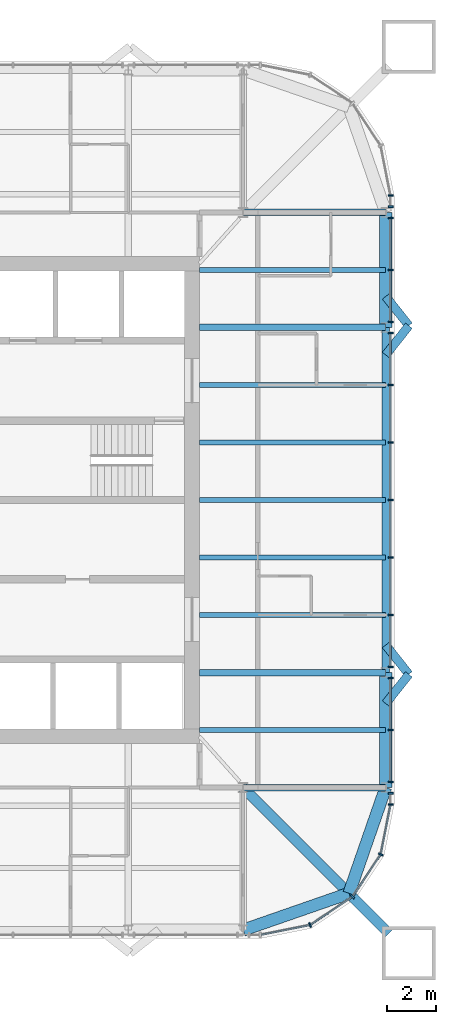
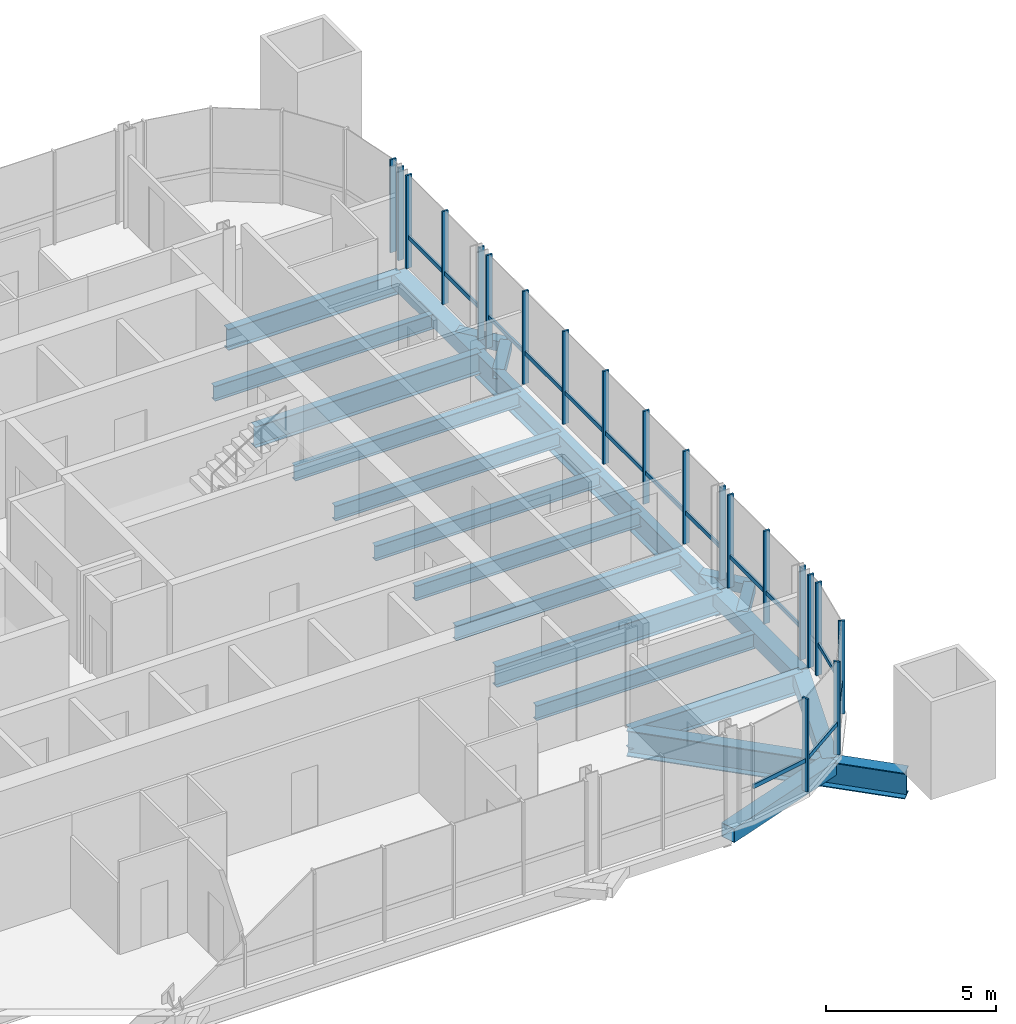
# One storey, part 5 of 17: 34 members, 21 beams, 6 elements without a shape of their own.
"""IFC4 building model written with IfcOpenShell, lengths in metres."""

from ifc_helpers import new_model, si_unit, direction, frame, origin, origin_2d, place, context, subcontext, project, spatial, rectangle, hollow_rectangle, i_section, extrude, material, material_profile, profile_set, type_object, element, aggregate, save


model = new_model("IFC4")

# Units and contexts
model_context = context("Model", 3, precision=1e-05, world=origin(), true_north=direction((0.0, 1.0)))
body_context = subcontext(model_context, "Body", "Model", "MODEL_VIEW")
ifc_project = project(units=[si_unit("LENGTHUNIT", "METRE"), si_unit("AREAUNIT", "SQUARE_METRE"), si_unit("VOLUMEUNIT", "CUBIC_METRE"), si_unit("PLANEANGLEUNIT", "RADIAN"), si_unit("MASSUNIT", "GRAM", prefix="KILO")], contexts=[model_context])

# Site, building, storey
site_placement = place(None, origin())
site = spatial("IfcSite", under=ifc_project, at=site_placement, CompositionType="ELEMENT")
building_placement = place(site_placement, origin())
building = spatial("IfcBuilding", under=site, at=building_placement, Name="Turquesa Mirador Hotel Tower", CompositionType="ELEMENT")
storey_placement = place(building_placement, frame((0.0, 0.0, 258.199951171875)))
storey = spatial("IfcBuildingStorey", under=building, at=storey_placement, Name="L70", CompositionType="ELEMENT", Elevation=258.199951171875)

# Beams
ifc_material_1 = material(Name="Steel ASTM A572 Grade 50", Category="steel")
ifc_material_profile_1 = material_profile(ifc_material_1, hollow_rectangle(XDim=0.5, YDim=0.5, WallThickness=0.01611328125, at=origin_2d()), Name="BOX500X500X16")
ifc_profile_set_1 = profile_set([ifc_material_profile_1], Name="Steel ASTM A572 Grade 50")
beam_type_1 = type_object("IfcBeamType", Name="BEAM BOX500X500X16", PredefinedType="BEAM", material=ifc_profile_set_1)
for number, where, z_axis, x_axis, name in (
    (1, (72.64990234375, 33.199951171875, -0.419921875), (0.0, 1.0, 0.0), (-1.0, 0.0, 0.0), "EB-L70-E-L"),
    (2, (72.64990234375, 52.080078125, -0.419921875), (0.0, 1.0, 0.0), (-1.0, 0.0, 0.0), "EB-L70-E-R"),
):
    element("IfcBeam", number, at=place(storey_placement, frame(where, z_axis=z_axis, x_axis=x_axis)), inside=storey, type_object=beam_type_1, Name=name, PredefinedType="BEAM", context=body_context, shape_type="SweptSolid", body=[
        extrude(hollow_rectangle(XDim=0.5, YDim=0.5, WallThickness=0.01611328125, at=origin_2d()), origin(), (0.0, 0.0, 1.0), 4.719970703125),
    ])
for number, where, z_axis, x_axis, name in (
    (3, (72.64990234375, 33.199951171875, -0.419921875), (-0.328170356092, -0.944618556552, 0.0), (0.944618556552, -0.328170356092, 0.0), "KE-L70-4-0"),
    (4, (71.1416015625, 28.8583984375, -0.419921875), (-0.944618556552, -0.328170356092, 0.0), (0.328170356092, -0.944618556552, 0.0), "KE-L70-4-1"),
):
    element("IfcBeam", number, at=place(storey_placement, frame(where, z_axis=z_axis, x_axis=x_axis)), inside=storey, type_object=beam_type_1, Name=name, PredefinedType="BEAM", context=body_context, shape_type="SweptSolid", body=[
        extrude(hollow_rectangle(XDim=0.5, YDim=0.5, WallThickness=0.01611328125, at=origin_2d()), origin(), (0.0, 0.0, 1.0), 4.59619140625),
    ])
ifc_material_2 = material(Name="Steel ASTM A992 Grade 50", Category="steel")
ifc_material_profile_2 = material_profile(ifc_material_2, i_section(OverallWidth=0.209228515625, OverallDepth=0.533447265625, WebThickness=0.01025390625, FlangeThickness=0.015625, at=origin_2d()), Name="W21X62")
ifc_profile_set_2 = profile_set([ifc_material_profile_2], Name="Steel ASTM A992 Grade 50")
beam_type_2 = type_object("IfcBeamType", Name="BEAM W21X62", PredefinedType="BEAM", material=ifc_profile_set_2)
for number, where, z_axis, x_axis, name in (
    (5, (72.64990234375, 35.56005859375, -0.436767578125), (-1.0, 0.0, 0.0), (0.0, -1.0, 0.0), "BM-L70-E--9.44"),
    (6, (72.64990234375, 40.280029296875, -0.436767578125), (-1.0, 0.0, 0.0), (0.0, -1.0, 0.0), "BM-L70-E--4.72"),
    (7, (72.64990234375, 42.639892578125, -0.436767578125), (-1.0, 0.0, 0.0), (0.0, -1.0, 0.0), "BM-L70-E--2.36"),
    (8, (72.64990234375, 45.0, -0.436767578125), (-1.0, 0.0, 0.0), (0.0, -1.0, 0.0), "BM-L70-E-+0.00"),
    (9, (72.64990234375, 47.360107421875, -0.436767578125), (-1.0, 0.0, 0.0), (0.0, -1.0, 0.0), "BM-L70-E-+2.36"),
    (10, (72.64990234375, 49.719970703125, -0.436767578125), (-1.0, 0.0, 0.0), (0.0, -1.0, 0.0), "BM-L70-E-+4.72"),
    (11, (72.64990234375, 54.43994140625, -0.436767578125), (-1.0, 0.0, 0.0), (0.0, -1.0, 0.0), "BM-L70-E-+9.44"),
):
    element("IfcBeam", number, at=place(storey_placement, frame(where, z_axis=z_axis, x_axis=x_axis)), inside=storey, type_object=beam_type_2, Name=name, PredefinedType="BEAM", context=body_context, shape_type="SweptSolid", body=[
        extrude(i_section(OverallWidth=0.209228515625, OverallDepth=0.533447265625, WebThickness=0.01025390625, FlangeThickness=0.015625, at=origin_2d()), origin(), (0.0, 0.0, 1.0), 7.64990234375),
    ])
ifc_material_3 = material(Name="Steel ASTM A992 Grade 50", Category="steel")
ifc_material_profile_3 = material_profile(ifc_material_3, i_section(OverallWidth=0.2666015625, OverallDepth=0.7568359375, WebThickness=0.013916015625, FlangeThickness=0.019287109375, at=origin_2d()), Name="W30X108")
ifc_profile_set_3 = profile_set([ifc_material_profile_3], Name="Steel ASTM A992 Grade 50")
beam_type_3 = type_object("IfcBeamType", Name="BEAM W30X108", PredefinedType="BEAM", material=ifc_profile_set_3)
for number, where, z_axis, x_axis, name in (
    (12, (72.64990234375, 37.919921875, -0.54833984375), (-1.0, 0.0, 0.0), (0.0, -1.0, 0.0), "GD-L70-E--7.08"),
    (13, (72.64990234375, 52.080078125, -0.54833984375), (-1.0, 0.0, 0.0), (0.0, -1.0, 0.0), "GD-L70-E-+7.08"),
):
    element("IfcBeam", number, at=place(storey_placement, frame(where, z_axis=z_axis, x_axis=x_axis)), inside=storey, type_object=beam_type_3, Name=name, PredefinedType="BEAM", context=body_context, shape_type="SweptSolid", body=[
        extrude(i_section(OverallWidth=0.2666015625, OverallDepth=0.7568359375, WebThickness=0.013916015625, FlangeThickness=0.019287109375, at=origin_2d()), origin(), (0.0, 0.0, 1.0), 7.64990234375),
    ])
for number, where, z_axis, x_axis, name in (
    (14, (72.64990234375, 33.199951171875, -0.54833984375), (-1.0, 0.0, 0.0), (0.0, -1.0, 0.0), "GK-L70-E--11.80"),
    (15, (72.64990234375, 56.800048828125, -0.54833984375), (-1.0, 0.0, 0.0), (0.0, -1.0, 0.0), "GK-L70-E-+11.80"),
):
    element("IfcBeam", number, at=place(storey_placement, frame(where, z_axis=z_axis, x_axis=x_axis)), inside=storey, type_object=beam_type_3, Name=name, PredefinedType="BEAM", context=body_context, shape_type="SweptSolid", body=[
        extrude(i_section(OverallWidth=0.2666015625, OverallDepth=0.7568359375, WebThickness=0.013916015625, FlangeThickness=0.019287109375, at=origin_2d()), origin(), (0.0, 0.0, 1.0), 5.849853515625),
    ])
ifc_material_4 = material(Name="Steel ASTM A992 Grade 50", Category="steel")
ifc_material_profile_4 = material_profile(ifc_material_4, i_section(OverallWidth=0.3046875, OverallDepth=0.911865234375, WebThickness=0.015869140625, FlangeThickness=0.02392578125, at=origin_2d()), Name="W36X150")
ifc_profile_set_4 = profile_set([ifc_material_profile_4], Name="Steel ASTM A992 Grade 50")
beam_type_4 = type_object("IfcBeamType", Name="BEAM W36X150", PredefinedType="BEAM", material=ifc_profile_set_4)
beam_1_placement = place(storey_placement, frame((72.64990234375, 37.919921875, -0.6259765625), z_axis=(0.0, 1.0, 0.0), x_axis=(-1.0, 0.0, 0.0)))
element("IfcBeam", 16, at=beam_1_placement, inside=storey, type_object=beam_type_4, Name="EB-L70-E-C", PredefinedType="BEAM", context=body_context, shape_type="SweptSolid", body=[
    extrude(i_section(OverallWidth=0.3046875, OverallDepth=0.911865234375, WebThickness=0.015869140625, FlangeThickness=0.02392578125, at=origin_2d()), origin(), (0.0, 0.0, 1.0), 14.16015625),
])
ifc_material_5 = material(Name="Steel ASTM A992 Grade 50", Category="steel")
ifc_material_profile_5 = material_profile(ifc_material_5, i_section(OverallWidth=0.419189453125, OverallDepth=0.927001953125, WebThickness=0.019287109375, FlangeThickness=0.031982421875, at=origin_2d()), Name="W36X231")
ifc_profile_set_5 = profile_set([ifc_material_profile_5], Name="Steel ASTM A992 Grade 50")
beam_type_5 = type_object("IfcBeamType", Name="BEAM W36X231", PredefinedType="BEAM", material=ifc_profile_set_5)
beam_2_placement = place(storey_placement, frame((66.800048828125, 33.199951171875, -0.633544921875), z_axis=(0.707106781187, -0.707106781187, 0.0), x_axis=(0.707106781187, 0.707106781187, 0.0)))
element("IfcBeam", 17, at=beam_2_placement, inside=storey, type_object=beam_type_5, Name="KD-L70-4", PredefinedType="BEAM", context=body_context, shape_type="SweptSolid", body=[
    extrude(i_section(OverallWidth=0.419189453125, OverallDepth=0.927001953125, WebThickness=0.019287109375, FlangeThickness=0.031982421875, at=origin_2d()), origin(), (0.0, 0.0, 1.0), 8.46240234375),
])
ifc_material_6 = material(Name="Steel ASTM A500 Grade C", Category="steel")
ifc_material_profile_6 = material_profile(ifc_material_6, hollow_rectangle(XDim=0.355712890625, YDim=0.355712890625, WallThickness=0.0146484375, at=origin_2d()), Name="HSS14X14X5/8")
ifc_profile_set_6 = profile_set([ifc_material_profile_6], Name="Steel ASTM A500 Grade C")
beam_type_6 = type_object("IfcBeamType", Name="BRACE STRUT HSS14X14X5/8", PredefinedType="BEAM", material=ifc_profile_set_6)
for number, where, z_axis, x_axis, name in (
    (18, (73.60009765625, 52.15380859375, -0.34765625), (-0.620796907089, -0.783971428146, 0.0), (0.783971428146, -0.620796907089, 0.0), "Brace strut"),
    (19, (73.60009765625, 52.15380859375, -0.34765625), (-0.620796907089, 0.783971428146, 0.0), (-0.783971428146, -0.620796907089, 0.0), "Brace strut"),
    (20, (73.60009765625, 37.84619140625, -0.34765625), (-0.620796907089, -0.783971428146, 0.0), (0.783971428146, -0.620796907089, 0.0), "Brace strut"),
    (21, (73.60009765625, 37.84619140625, -0.34765625), (-0.620796907089, 0.783971428146, 0.0), (-0.783971428146, -0.620796907089, 0.0), "Brace strut"),
):
    element("IfcBeam", number, at=place(storey_placement, frame(where, z_axis=z_axis, x_axis=x_axis)), inside=storey, type_object=beam_type_6, Name=name, PredefinedType="BEAM", context=body_context, shape_type="SweptSolid", body=[
        extrude(hollow_rectangle(XDim=0.355712890625, YDim=0.355712890625, WallThickness=0.0146484375, at=origin_2d()), origin(), (0.0, 0.0, 1.0), 1.530517578125),
    ])

# Curtain wall, members
ifc_material_7 = material(Name="Aluminium extrusion", Category="aluminium")
curtain_wall_type = type_object("IfcCurtainWallType", Name="CW-4 SUITE FRITTED CURTAIN WALL", PredefinedType="USERDEFINED", material=ifc_material_7)
curtain_wall_1_placement = place(storey_placement, origin())
curtain_wall_1 = element("IfcCurtainWall", 22, at=curtain_wall_1_placement, inside=storey, type_object=curtain_wall_type, Name="CW-4 SUITE FRITTED CURTAIN WALL L70", ObjectType="CURTAIN WALL", PredefinedType="USERDEFINED")
ifc_material_8 = material(Name="Aluminium extrusion", Category="aluminium")
ifc_material_profile_7 = material_profile(ifc_material_8, rectangle(XDim=0.06494140625, YDim=0.199951171875, at=origin_2d()), Name="MULLION 65X200")
ifc_profile_set_7 = profile_set([ifc_material_profile_7], Name="Aluminium extrusion")
member_type_1 = type_object("IfcMemberType", Name="CW MULLION 65X200", PredefinedType="MULLION", material=ifc_profile_set_7)
member_1_placement = place(storey_placement, frame((69.54736328125, 27.55712890625, 0.0), z_axis=(0.0, 0.0, 1.0), x_axis=(0.923879532511, 0.382683432365, 0.0)))
member_1 = element("IfcMember", 23, at=member_1_placement, type_object=member_type_1, Name="Mullion", PredefinedType="MULLION", context=body_context, shape_type="SweptSolid", body=[
    extrude(rectangle(XDim=0.06494140625, YDim=0.199951171875, at=origin_2d()), origin(), (0.0, 0.0, 1.0), 3.330078125),
])
member_2_placement = place(storey_placement, frame((71.282958984375, 28.717041015625, 0.0), z_axis=(0.0, 0.0, 1.0), x_axis=(0.707106781187, 0.707106781187, 0.0)))
member_2 = element("IfcMember", 24, at=member_2_placement, type_object=member_type_1, Name="Mullion", PredefinedType="MULLION", context=body_context, shape_type="SweptSolid", body=[
    extrude(rectangle(XDim=0.06494140625, YDim=0.199951171875, at=origin_2d()), origin(), (0.0, 0.0, 1.0), 3.330078125),
])
member_3_placement = place(storey_placement, frame((72.44287109375, 30.45263671875, 0.0), z_axis=(0.0, 0.0, 1.0), x_axis=(0.382683432365, 0.923879532511, 0.0)))
member_3 = element("IfcMember", 25, at=member_3_placement, type_object=member_type_1, Name="Mullion", PredefinedType="MULLION", context=body_context, shape_type="SweptSolid", body=[
    extrude(rectangle(XDim=0.06494140625, YDim=0.199951171875, at=origin_2d()), origin(), (0.0, 0.0, 1.0), 3.330078125),
])

curtain_wall_2_placement = place(storey_placement, origin())
curtain_wall_2 = element("IfcCurtainWall", 26, at=curtain_wall_2_placement, inside=storey, type_object=curtain_wall_type, Name="CW-4 SUITE FRITTED CURTAIN WALL L70", ObjectType="CURTAIN WALL", PredefinedType="USERDEFINED")
member_4_placement = place(storey_placement, frame((72.85009765625, 32.5, 0.0), z_axis=(0.0, 0.0, 1.0), x_axis=(0.0, 1.0, 0.0)))
member_4 = element("IfcMember", 27, at=member_4_placement, type_object=member_type_1, Name="Mullion", PredefinedType="MULLION", context=body_context, shape_type="SweptSolid", body=[
    extrude(rectangle(XDim=0.06494140625, YDim=0.199951171875, at=origin_2d()), origin(), (0.0, 0.0, 1.0), 3.330078125),
])
member_5_placement = place(storey_placement, frame((72.85009765625, 32.966064453125, 0.0), z_axis=(0.0, 0.0, 1.0), x_axis=(0.0, 1.0, 0.0)))
member_5 = element("IfcMember", 28, at=member_5_placement, type_object=member_type_1, Name="Mullion", PredefinedType="MULLION", context=body_context, shape_type="SweptSolid", body=[
    extrude(rectangle(XDim=0.06494140625, YDim=0.199951171875, at=origin_2d()), origin(), (0.0, 0.0, 1.0), 3.330078125),
])
aggregate(curtain_wall_2, [member_4, member_5])

curtain_wall_3_placement = place(storey_placement, origin())
curtain_wall_3 = element("IfcCurtainWall", 29, at=curtain_wall_3_placement, inside=storey, type_object=curtain_wall_type, Name="CW-4 SUITE FRITTED CURTAIN WALL L70", ObjectType="CURTAIN WALL", PredefinedType="USERDEFINED")
member_6_placement = place(storey_placement, frame((72.85009765625, 33.433837890625, 0.0), z_axis=(0.0, 0.0, 1.0), x_axis=(0.0, 1.0, 0.0)))
member_6 = element("IfcMember", 30, at=member_6_placement, type_object=member_type_1, Name="Mullion", PredefinedType="MULLION", context=body_context, shape_type="SweptSolid", body=[
    extrude(rectangle(XDim=0.06494140625, YDim=0.199951171875, at=origin_2d()), origin(), (0.0, 0.0, 1.0), 3.330078125),
])
member_7_placement = place(storey_placement, frame((72.85009765625, 35.56005859375, 0.0), z_axis=(0.0, 0.0, 1.0), x_axis=(0.0, 1.0, 0.0)))
member_7 = element("IfcMember", 31, at=member_7_placement, type_object=member_type_1, Name="Mullion", PredefinedType="MULLION", context=body_context, shape_type="SweptSolid", body=[
    extrude(rectangle(XDim=0.06494140625, YDim=0.199951171875, at=origin_2d()), origin(), (0.0, 0.0, 1.0), 3.330078125),
])
member_8_placement = place(storey_placement, frame((72.85009765625, 37.68603515625, 0.0), z_axis=(0.0, 0.0, 1.0), x_axis=(0.0, 1.0, 0.0)))
member_8 = element("IfcMember", 32, at=member_8_placement, type_object=member_type_1, Name="Mullion", PredefinedType="MULLION", context=body_context, shape_type="SweptSolid", body=[
    extrude(rectangle(XDim=0.06494140625, YDim=0.199951171875, at=origin_2d()), origin(), (0.0, 0.0, 1.0), 3.330078125),
])

curtain_wall_4_placement = place(storey_placement, origin())
curtain_wall_4 = element("IfcCurtainWall", 33, at=curtain_wall_4_placement, inside=storey, type_object=curtain_wall_type, Name="CW-4 SUITE FRITTED CURTAIN WALL L70", ObjectType="CURTAIN WALL", PredefinedType="USERDEFINED")
member_9_placement = place(storey_placement, frame((72.85009765625, 38.15380859375, 0.0), z_axis=(0.0, 0.0, 1.0), x_axis=(0.0, 1.0, 0.0)))
member_9 = element("IfcMember", 34, at=member_9_placement, type_object=member_type_1, Name="Mullion", PredefinedType="MULLION", context=body_context, shape_type="SweptSolid", body=[
    extrude(rectangle(XDim=0.06494140625, YDim=0.199951171875, at=origin_2d()), origin(), (0.0, 0.0, 1.0), 3.330078125),
])
member_10_placement = place(storey_placement, frame((72.85009765625, 40.280029296875, 0.0), z_axis=(0.0, 0.0, 1.0), x_axis=(0.0, 1.0, 0.0)))
member_10 = element("IfcMember", 35, at=member_10_placement, type_object=member_type_1, Name="Mullion", PredefinedType="MULLION", context=body_context, shape_type="SweptSolid", body=[
    extrude(rectangle(XDim=0.06494140625, YDim=0.199951171875, at=origin_2d()), origin(), (0.0, 0.0, 1.0), 3.330078125),
])
member_11_placement = place(storey_placement, frame((72.85009765625, 42.639892578125, 0.0), z_axis=(0.0, 0.0, 1.0), x_axis=(0.0, 1.0, 0.0)))
member_11 = element("IfcMember", 36, at=member_11_placement, type_object=member_type_1, Name="Mullion", PredefinedType="MULLION", context=body_context, shape_type="SweptSolid", body=[
    extrude(rectangle(XDim=0.06494140625, YDim=0.199951171875, at=origin_2d()), origin(), (0.0, 0.0, 1.0), 3.330078125),
])
member_12_placement = place(storey_placement, frame((72.85009765625, 45.0, 0.0), z_axis=(0.0, 0.0, 1.0), x_axis=(0.0, 1.0, 0.0)))
member_12 = element("IfcMember", 37, at=member_12_placement, type_object=member_type_1, Name="Mullion", PredefinedType="MULLION", context=body_context, shape_type="SweptSolid", body=[
    extrude(rectangle(XDim=0.06494140625, YDim=0.199951171875, at=origin_2d()), origin(), (0.0, 0.0, 1.0), 3.330078125),
])
member_13_placement = place(storey_placement, frame((72.85009765625, 47.360107421875, 0.0), z_axis=(0.0, 0.0, 1.0), x_axis=(0.0, 1.0, 0.0)))
member_13 = element("IfcMember", 38, at=member_13_placement, type_object=member_type_1, Name="Mullion", PredefinedType="MULLION", context=body_context, shape_type="SweptSolid", body=[
    extrude(rectangle(XDim=0.06494140625, YDim=0.199951171875, at=origin_2d()), origin(), (0.0, 0.0, 1.0), 3.330078125),
])
member_14_placement = place(storey_placement, frame((72.85009765625, 49.719970703125, 0.0), z_axis=(0.0, 0.0, 1.0), x_axis=(0.0, 1.0, 0.0)))
member_14 = element("IfcMember", 39, at=member_14_placement, type_object=member_type_1, Name="Mullion", PredefinedType="MULLION", context=body_context, shape_type="SweptSolid", body=[
    extrude(rectangle(XDim=0.06494140625, YDim=0.199951171875, at=origin_2d()), origin(), (0.0, 0.0, 1.0), 3.330078125),
])
member_15_placement = place(storey_placement, frame((72.85009765625, 51.84619140625, 0.0), z_axis=(0.0, 0.0, 1.0), x_axis=(0.0, 1.0, 0.0)))
member_15 = element("IfcMember", 40, at=member_15_placement, type_object=member_type_1, Name="Mullion", PredefinedType="MULLION", context=body_context, shape_type="SweptSolid", body=[
    extrude(rectangle(XDim=0.06494140625, YDim=0.199951171875, at=origin_2d()), origin(), (0.0, 0.0, 1.0), 3.330078125),
])

curtain_wall_5_placement = place(storey_placement, origin())
curtain_wall_5 = element("IfcCurtainWall", 41, at=curtain_wall_5_placement, inside=storey, type_object=curtain_wall_type, Name="CW-4 SUITE FRITTED CURTAIN WALL L70", ObjectType="CURTAIN WALL", PredefinedType="USERDEFINED")
member_16_placement = place(storey_placement, frame((72.85009765625, 52.31396484375, 0.0), z_axis=(0.0, 0.0, 1.0), x_axis=(0.0, 1.0, 0.0)))
member_16 = element("IfcMember", 42, at=member_16_placement, type_object=member_type_1, Name="Mullion", PredefinedType="MULLION", context=body_context, shape_type="SweptSolid", body=[
    extrude(rectangle(XDim=0.06494140625, YDim=0.199951171875, at=origin_2d()), origin(), (0.0, 0.0, 1.0), 3.330078125),
])
member_17_placement = place(storey_placement, frame((72.85009765625, 54.43994140625, 0.0), z_axis=(0.0, 0.0, 1.0), x_axis=(0.0, 1.0, 0.0)))
member_17 = element("IfcMember", 43, at=member_17_placement, type_object=member_type_1, Name="Mullion", PredefinedType="MULLION", context=body_context, shape_type="SweptSolid", body=[
    extrude(rectangle(XDim=0.06494140625, YDim=0.199951171875, at=origin_2d()), origin(), (0.0, 0.0, 1.0), 3.330078125),
])
member_18_placement = place(storey_placement, frame((72.85009765625, 56.566162109375, 0.0), z_axis=(0.0, 0.0, 1.0), x_axis=(0.0, 1.0, 0.0)))
member_18 = element("IfcMember", 44, at=member_18_placement, type_object=member_type_1, Name="Mullion", PredefinedType="MULLION", context=body_context, shape_type="SweptSolid", body=[
    extrude(rectangle(XDim=0.06494140625, YDim=0.199951171875, at=origin_2d()), origin(), (0.0, 0.0, 1.0), 3.330078125),
])

curtain_wall_6_placement = place(storey_placement, origin())
curtain_wall_6 = element("IfcCurtainWall", 45, at=curtain_wall_6_placement, inside=storey, type_object=curtain_wall_type, Name="CW-4 SUITE FRITTED CURTAIN WALL L70", ObjectType="CURTAIN WALL", PredefinedType="USERDEFINED")
member_19_placement = place(storey_placement, frame((72.85009765625, 57.033935546875, 0.0), z_axis=(0.0, 0.0, 1.0), x_axis=(0.0, 1.0, 0.0)))
member_19 = element("IfcMember", 46, at=member_19_placement, type_object=member_type_1, Name="Mullion", PredefinedType="MULLION", context=body_context, shape_type="SweptSolid", body=[
    extrude(rectangle(XDim=0.06494140625, YDim=0.199951171875, at=origin_2d()), origin(), (0.0, 0.0, 1.0), 3.330078125),
])
member_20_placement = place(storey_placement, frame((72.85009765625, 57.5, 0.0), z_axis=(0.0, 0.0, 1.0), x_axis=(0.0, 1.0, 0.0)))
member_20 = element("IfcMember", 47, at=member_20_placement, type_object=member_type_1, Name="Mullion", PredefinedType="MULLION", context=body_context, shape_type="SweptSolid", body=[
    extrude(rectangle(XDim=0.06494140625, YDim=0.199951171875, at=origin_2d()), origin(), (0.0, 0.0, 1.0), 3.330078125),
])
aggregate(curtain_wall_6, [member_19, member_20])

# Member
ifc_material_9 = material(Name="Aluminium extrusion", Category="aluminium")
ifc_material_profile_8 = material_profile(ifc_material_9, rectangle(XDim=0.06494140625, YDim=0.14990234375, at=origin_2d()), Name="TRANSOM 65X150")
ifc_profile_set_8 = profile_set([ifc_material_profile_8], Name="Aluminium extrusion")
member_type_2 = type_object("IfcMemberType", Name="CW TRANSOM 65X150", PredefinedType="USERDEFINED", material=ifc_profile_set_8)
member_21_placement = place(storey_placement, frame((67.531982421875, 27.15625, 1.10009765625), z_axis=(0.980761343592, 0.195210621934, 0.0), x_axis=(-0.195210621934, 0.980761343592, 0.0)))
member_21 = element("IfcMember", 48, at=member_21_placement, type_object=member_type_2, Name="Transom", ObjectType="TRANSOM", PredefinedType="USERDEFINED", context=body_context, shape_type="SweptSolid", body=[
    extrude(rectangle(XDim=0.06494140625, YDim=0.14990234375, at=origin_2d()), origin(), (0.0, 0.0, 1.0), 2.022216796875),
])

member_22_placement = place(storey_placement, frame((69.574462890625, 27.5751953125, 1.10009765625), z_axis=(0.831436961136, 0.555619095835, 0.0), x_axis=(-0.555619095835, 0.831436961136, 0.0)))
member_22 = element("IfcMember", 49, at=member_22_placement, type_object=member_type_2, Name="Transom", ObjectType="TRANSOM", PredefinedType="USERDEFINED", context=body_context, shape_type="SweptSolid", body=[
    extrude(rectangle(XDim=0.06494140625, YDim=0.14990234375, at=origin_2d()), origin(), (0.0, 0.0, 1.0), 2.0224609375),
])

member_23_placement = place(storey_placement, frame((71.301025390625, 28.743896484375, 1.10009765625), z_axis=(0.555619095835, 0.831436961136, 0.0), x_axis=(-0.831436961136, 0.555619095835, 0.0)))
member_23 = element("IfcMember", 50, at=member_23_placement, type_object=member_type_2, Name="Transom", ObjectType="TRANSOM", PredefinedType="USERDEFINED", context=body_context, shape_type="SweptSolid", body=[
    extrude(rectangle(XDim=0.06494140625, YDim=0.14990234375, at=origin_2d()), origin(), (0.0, 0.0, 1.0), 2.0224609375),
])

member_24_placement = place(storey_placement, frame((72.448974609375, 30.484619140625, 1.10009765625), z_axis=(0.195210621934, 0.980761343592, 0.0), x_axis=(-0.980761343592, 0.195210621934, 0.0)))
member_24 = element("IfcMember", 51, at=member_24_placement, type_object=member_type_2, Name="Transom", ObjectType="TRANSOM", PredefinedType="USERDEFINED", context=body_context, shape_type="SweptSolid", body=[
    extrude(rectangle(XDim=0.06494140625, YDim=0.14990234375, at=origin_2d()), origin(), (0.0, 0.0, 1.0), 2.022216796875),
])

aggregate(curtain_wall_1, [member_1, member_2, member_3, member_21, member_22, member_23, member_24])

member_25_placement = place(storey_placement, frame((72.85009765625, 33.46630859375, 1.10009765625), z_axis=(0.0, 1.0, 0.0), x_axis=(-1.0, 0.0, 0.0)))
member_25 = element("IfcMember", 52, at=member_25_placement, type_object=member_type_2, Name="Transom", ObjectType="TRANSOM", PredefinedType="USERDEFINED", context=body_context, shape_type="SweptSolid", body=[
    extrude(rectangle(XDim=0.06494140625, YDim=0.14990234375, at=origin_2d()), origin(), (0.0, 0.0, 1.0), 2.061279296875),
])

member_26_placement = place(storey_placement, frame((72.85009765625, 35.592529296875, 1.10009765625), z_axis=(0.0, 1.0, 0.0), x_axis=(-1.0, 0.0, 0.0)))
member_26 = element("IfcMember", 53, at=member_26_placement, type_object=member_type_2, Name="Transom", ObjectType="TRANSOM", PredefinedType="USERDEFINED", context=body_context, shape_type="SweptSolid", body=[
    extrude(rectangle(XDim=0.06494140625, YDim=0.14990234375, at=origin_2d()), origin(), (0.0, 0.0, 1.0), 2.06103515625),
])

aggregate(curtain_wall_3, [member_6, member_7, member_8, member_25, member_26])

member_27_placement = place(storey_placement, frame((72.85009765625, 38.186279296875, 1.10009765625), z_axis=(0.0, 1.0, 0.0), x_axis=(-1.0, 0.0, 0.0)))
member_27 = element("IfcMember", 54, at=member_27_placement, type_object=member_type_2, Name="Transom", ObjectType="TRANSOM", PredefinedType="USERDEFINED", context=body_context, shape_type="SweptSolid", body=[
    extrude(rectangle(XDim=0.06494140625, YDim=0.14990234375, at=origin_2d()), origin(), (0.0, 0.0, 1.0), 2.061279296875),
])

member_28_placement = place(storey_placement, frame((72.85009765625, 40.3125, 1.10009765625), z_axis=(0.0, 1.0, 0.0), x_axis=(-1.0, 0.0, 0.0)))
member_28 = element("IfcMember", 55, at=member_28_placement, type_object=member_type_2, Name="Transom", ObjectType="TRANSOM", PredefinedType="USERDEFINED", context=body_context, shape_type="SweptSolid", body=[
    extrude(rectangle(XDim=0.06494140625, YDim=0.14990234375, at=origin_2d()), origin(), (0.0, 0.0, 1.0), 2.294921875),
])

member_29_placement = place(storey_placement, frame((72.85009765625, 42.672607421875, 1.10009765625), z_axis=(0.0, 1.0, 0.0), x_axis=(-1.0, 0.0, 0.0)))
member_29 = element("IfcMember", 56, at=member_29_placement, type_object=member_type_2, Name="Transom", ObjectType="TRANSOM", PredefinedType="USERDEFINED", context=body_context, shape_type="SweptSolid", body=[
    extrude(rectangle(XDim=0.06494140625, YDim=0.14990234375, at=origin_2d()), origin(), (0.0, 0.0, 1.0), 2.294921875),
])

member_30_placement = place(storey_placement, frame((72.85009765625, 45.032470703125, 1.10009765625), z_axis=(0.0, 1.0, 0.0), x_axis=(-1.0, 0.0, 0.0)))
member_30 = element("IfcMember", 57, at=member_30_placement, type_object=member_type_2, Name="Transom", ObjectType="TRANSOM", PredefinedType="USERDEFINED", context=body_context, shape_type="SweptSolid", body=[
    extrude(rectangle(XDim=0.06494140625, YDim=0.14990234375, at=origin_2d()), origin(), (0.0, 0.0, 1.0), 2.294921875),
])

member_31_placement = place(storey_placement, frame((72.85009765625, 47.392578125, 1.10009765625), z_axis=(0.0, 1.0, 0.0), x_axis=(-1.0, 0.0, 0.0)))
member_31 = element("IfcMember", 58, at=member_31_placement, type_object=member_type_2, Name="Transom", ObjectType="TRANSOM", PredefinedType="USERDEFINED", context=body_context, shape_type="SweptSolid", body=[
    extrude(rectangle(XDim=0.06494140625, YDim=0.14990234375, at=origin_2d()), origin(), (0.0, 0.0, 1.0), 2.294921875),
])

member_32_placement = place(storey_placement, frame((72.85009765625, 49.75244140625, 1.10009765625), z_axis=(0.0, 1.0, 0.0), x_axis=(-1.0, 0.0, 0.0)))
member_32 = element("IfcMember", 59, at=member_32_placement, type_object=member_type_2, Name="Transom", ObjectType="TRANSOM", PredefinedType="USERDEFINED", context=body_context, shape_type="SweptSolid", body=[
    extrude(rectangle(XDim=0.06494140625, YDim=0.14990234375, at=origin_2d()), origin(), (0.0, 0.0, 1.0), 2.061279296875),
])

aggregate(curtain_wall_4, [member_9, member_10, member_11, member_12, member_13, member_14, member_15, member_27, member_28, member_29, member_30, member_31, member_32])

member_33_placement = place(storey_placement, frame((72.85009765625, 52.346435546875, 1.10009765625), z_axis=(0.0, 1.0, 0.0), x_axis=(-1.0, 0.0, 0.0)))
member_33 = element("IfcMember", 60, at=member_33_placement, type_object=member_type_2, Name="Transom", ObjectType="TRANSOM", PredefinedType="USERDEFINED", context=body_context, shape_type="SweptSolid", body=[
    extrude(rectangle(XDim=0.06494140625, YDim=0.14990234375, at=origin_2d()), origin(), (0.0, 0.0, 1.0), 2.06103515625),
])

member_34_placement = place(storey_placement, frame((72.85009765625, 54.472412109375, 1.10009765625), z_axis=(0.0, 1.0, 0.0), x_axis=(-1.0, 0.0, 0.0)))
member_34 = element("IfcMember", 61, at=member_34_placement, type_object=member_type_2, Name="Transom", ObjectType="TRANSOM", PredefinedType="USERDEFINED", context=body_context, shape_type="SweptSolid", body=[
    extrude(rectangle(XDim=0.06494140625, YDim=0.14990234375, at=origin_2d()), origin(), (0.0, 0.0, 1.0), 2.061279296875),
])

aggregate(curtain_wall_5, [member_16, member_17, member_18, member_33, member_34])

save(model, "model.ifc")
